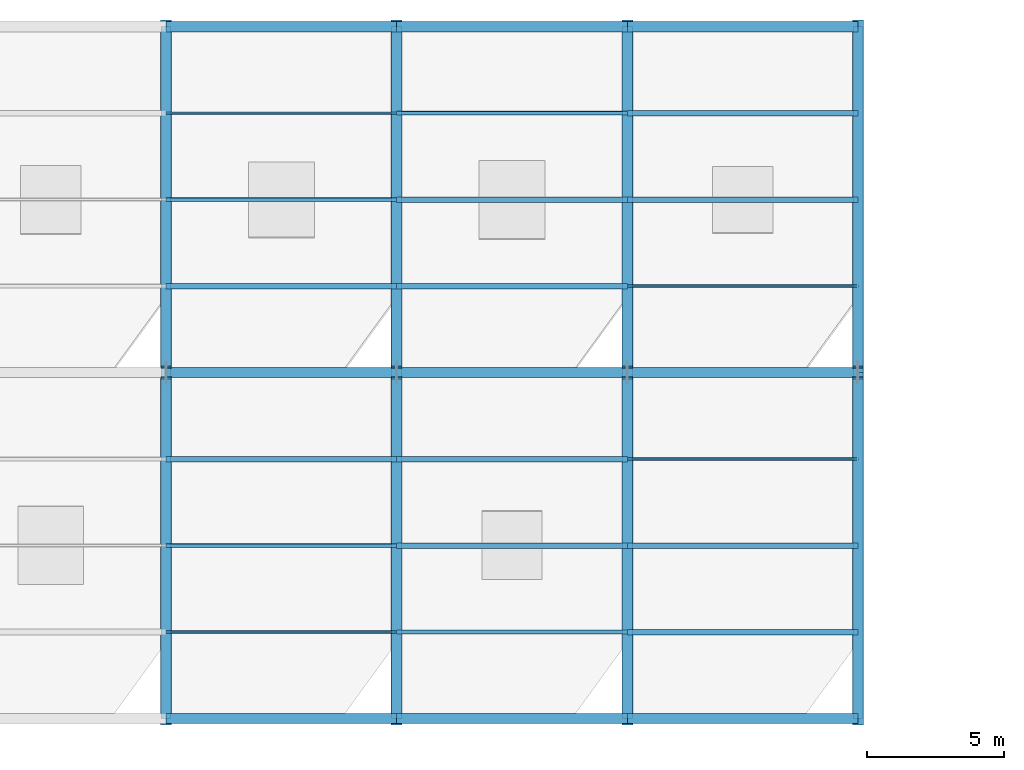
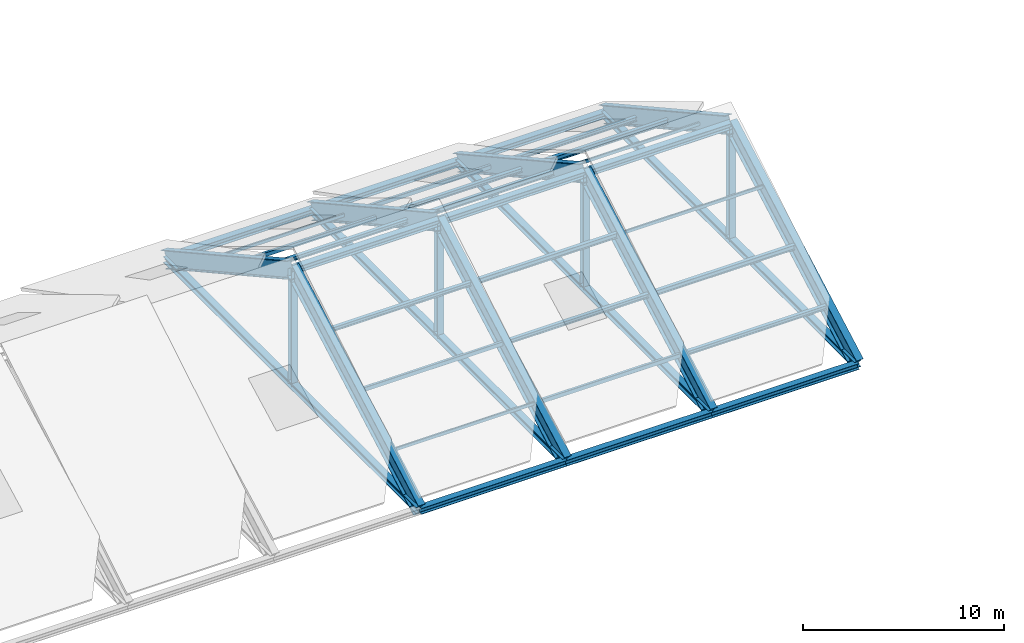
# One storey, part 3 of 13: 26 members, 17 beams.
"""IFC4 building model written with IfcOpenShell, lengths in metres."""

from ifc_helpers import new_model, si_unit, direction, frame, origin, origin_2d, place, context, subcontext, project, spatial, hollow_rectangle, i_section, extrude, material, material_profile, profile_set, type_object, element, save


model = new_model("IFC4")

# Units and contexts
model_context = context("Model", 3, precision=1e-05, world=origin(), true_north=direction((0.0, 1.0)))
body_context = subcontext(model_context, "Body", "Model", "MODEL_VIEW")
ifc_project = project(units=[si_unit("LENGTHUNIT", "METRE"), si_unit("AREAUNIT", "SQUARE_METRE"), si_unit("VOLUMEUNIT", "CUBIC_METRE"), si_unit("PLANEANGLEUNIT", "RADIAN"), si_unit("MASSUNIT", "GRAM", prefix="KILO")], contexts=[model_context])

# Site, building, storey
site_placement = place(None, origin())
site = spatial("IfcSite", under=ifc_project, at=site_placement, CompositionType="ELEMENT")
building_placement = place(site_placement, origin())
building = spatial("IfcBuilding", under=site, at=building_placement, Name="Calvrana Isthmian Art Gallery", CompositionType="ELEMENT")
storey_placement = place(building_placement, frame((0.0, 0.0, 29.39990234375)))
storey = spatial("IfcBuildingStorey", under=building, at=storey_placement, Name="RF", CompositionType="ELEMENT", Elevation=29.39990234375)

# Beams
ifc_material_1 = material(Name="Steel ASTM A992 Gr 50", Category="steel")
ifc_material_profile_1 = material_profile(ifc_material_1, i_section(OverallWidth=0.37109375, OverallDepth=0.363037109375, WebThickness=0.01318359375, FlangeThickness=0.021728515625, FilletRadius=0.02490234375, at=origin_2d()), Name="W14X109")
ifc_profile_set_1 = profile_set([ifc_material_profile_1], Name="Steel ASTM A992 Gr 50")
beam_type_1 = type_object("IfcBeamType", Name="BM-RF-W14X109", PredefinedType="BEAM", material=ifc_profile_set_1)
for number, where, z_axis, x_axis, name in (
    (1, (55.199951171875, 21.60009765625, -0.760498046875), (1.0, 0.0, 0.0), (0.0, 1.0, 0.0), "Folded plate eave beam S bay 5"),
    (2, (55.199951171875, 46.800048828125, -0.760498046875), (1.0, 0.0, 0.0), (0.0, 1.0, 0.0), "Folded plate eave beam N bay 5"),
):
    element("IfcBeam", number, at=place(storey_placement, frame(where, z_axis=z_axis, x_axis=x_axis)), inside=storey, type_object=beam_type_1, Name=name, PredefinedType="BEAM", context=body_context, shape_type="SweptSolid", body=[
        extrude(i_section(OverallWidth=0.37109375, OverallDepth=0.363037109375, WebThickness=0.01318359375, FlangeThickness=0.021728515625, FilletRadius=0.02490234375, at=origin_2d()), origin(), (0.0, 0.0, 1.0), 8.400146484375),
    ])
for number, where, z_axis, x_axis, name in (
    (3, (63.60009765625, 21.60009765625, -0.760498046875), (1.0, 0.0, 0.0), (0.0, 1.0, 0.0), "Folded plate eave beam S bay 6"),
    (4, (63.60009765625, 46.800048828125, -0.760498046875), (1.0, 0.0, 0.0), (0.0, 1.0, 0.0), "Folded plate eave beam N bay 6"),
    (5, (72.0, 21.60009765625, -0.760498046875), (1.0, 0.0, 0.0), (0.0, 1.0, 0.0), "Folded plate eave beam S bay 7"),
    (6, (72.0, 46.800048828125, -0.760498046875), (1.0, 0.0, 0.0), (0.0, 1.0, 0.0), "Folded plate eave beam N bay 7"),
):
    element("IfcBeam", number, at=place(storey_placement, frame(where, z_axis=z_axis, x_axis=x_axis)), inside=storey, type_object=beam_type_1, Name=name, PredefinedType="BEAM", context=body_context, shape_type="SweptSolid", body=[
        extrude(i_section(OverallWidth=0.37109375, OverallDepth=0.363037109375, WebThickness=0.01318359375, FlangeThickness=0.021728515625, FilletRadius=0.02490234375, at=origin_2d()), origin(), (0.0, 0.0, 1.0), 8.39990234375),
    ])
ifc_material_profile_2 = material_profile(ifc_material_1, i_section(OverallWidth=0.373046875, OverallDepth=0.367919921875, WebThickness=0.014892578125, FlangeThickness=0.02392578125, FilletRadius=0.02490234375, at=origin_2d()), Name="W14X120")
ifc_profile_set_2 = profile_set([ifc_material_profile_2], Name="Steel ASTM A992 Gr 50")
beam_type_2 = type_object("IfcBeamType", Name="BM-RF-W14X120", PredefinedType="BEAM", material=ifc_profile_set_2)
beam_1_placement = place(storey_placement, frame((55.199951171875, 34.199951171875, 6.219482421875), z_axis=(1.0, 0.0, 0.0), x_axis=(0.0, 1.0, 0.0)))
element("IfcBeam", 7, at=beam_1_placement, inside=storey, type_object=beam_type_2, Name="Folded plate ridge girder bay 5", PredefinedType="BEAM", context=body_context, shape_type="SweptSolid", body=[
    extrude(i_section(OverallWidth=0.373046875, OverallDepth=0.367919921875, WebThickness=0.014892578125, FlangeThickness=0.02392578125, FilletRadius=0.02490234375, at=origin_2d()), origin(), (0.0, 0.0, 1.0), 8.400146484375),
])
for number, where, z_axis, x_axis, name in (
    (8, (63.60009765625, 34.199951171875, 6.219482421875), (1.0, 0.0, 0.0), (0.0, 1.0, 0.0), "Folded plate ridge girder bay 6"),
    (9, (72.0, 34.199951171875, 6.219482421875), (1.0, 0.0, 0.0), (0.0, 1.0, 0.0), "Folded plate ridge girder bay 7"),
):
    element("IfcBeam", number, at=place(storey_placement, frame(where, z_axis=z_axis, x_axis=x_axis)), inside=storey, type_object=beam_type_2, Name=name, PredefinedType="BEAM", context=body_context, shape_type="SweptSolid", body=[
        extrude(i_section(OverallWidth=0.373046875, OverallDepth=0.367919921875, WebThickness=0.014892578125, FlangeThickness=0.02392578125, FilletRadius=0.02490234375, at=origin_2d()), origin(), (0.0, 0.0, 1.0), 8.39990234375),
    ])
ifc_material_profile_3 = material_profile(ifc_material_1, i_section(OverallWidth=0.40087890625, OverallDepth=1.0009765625, WebThickness=0.01904296875, FlangeThickness=0.0361328125, FilletRadius=0.030029296875, at=origin_2d()), Name="W40X249")
ifc_profile_set_3 = profile_set([ifc_material_profile_3], Name="Steel ASTM A992 Gr 50")
beam_type_3 = type_object("IfcBeamType", Name="BM-RF-W40X249", PredefinedType="BEAM", material=ifc_profile_set_3)
beam_2_placement = place(storey_placement, frame((55.199951171875, 21.60009765625, -0.760498046875), z_axis=(0.0, 0.874744270485, 0.484584833908), x_axis=(-1.0, 0.0, 0.0)))
element("IfcBeam", 10, at=beam_2_placement, inside=storey, type_object=beam_type_3, Name="Folded plate roof rafter south grid 08", PredefinedType="BEAM", context=body_context, shape_type="SweptSolid", body=[
    extrude(i_section(OverallWidth=0.40087890625, OverallDepth=1.0009765625, WebThickness=0.01904296875, FlangeThickness=0.0361328125, FilletRadius=0.030029296875, at=origin_2d()), origin(), (0.0, 0.0, 1.0), 14.404052734375),
])
beam_3_placement = place(storey_placement, frame((55.199951171875, 34.199951171875, 6.219482421875), z_axis=(0.0, 0.874748250508, -0.484577649332), x_axis=(-1.0, 0.0, 0.0)))
element("IfcBeam", 11, at=beam_3_placement, inside=storey, type_object=beam_type_3, Name="Folded plate roof rafter north grid 08", PredefinedType="BEAM", context=body_context, shape_type="SweptSolid", body=[
    extrude(i_section(OverallWidth=0.40087890625, OverallDepth=1.0009765625, WebThickness=0.01904296875, FlangeThickness=0.0361328125, FilletRadius=0.030029296875, at=origin_2d()), origin(), (0.0, 0.0, 1.0), 14.404296875),
])
beam_4_placement = place(storey_placement, frame((63.60009765625, 21.60009765625, -0.760498046875), z_axis=(0.0, 0.874744270485, 0.484584833908), x_axis=(-1.0, 0.0, 0.0)))
element("IfcBeam", 12, at=beam_4_placement, inside=storey, type_object=beam_type_3, Name="Folded plate roof rafter south grid 09", PredefinedType="BEAM", context=body_context, shape_type="SweptSolid", body=[
    extrude(i_section(OverallWidth=0.40087890625, OverallDepth=1.0009765625, WebThickness=0.01904296875, FlangeThickness=0.0361328125, FilletRadius=0.030029296875, at=origin_2d()), origin(), (0.0, 0.0, 1.0), 14.404052734375),
])
beam_5_placement = place(storey_placement, frame((63.60009765625, 34.199951171875, 6.219482421875), z_axis=(0.0, 0.874748250508, -0.484577649332), x_axis=(-1.0, 0.0, 0.0)))
element("IfcBeam", 13, at=beam_5_placement, inside=storey, type_object=beam_type_3, Name="Folded plate roof rafter north grid 09", PredefinedType="BEAM", context=body_context, shape_type="SweptSolid", body=[
    extrude(i_section(OverallWidth=0.40087890625, OverallDepth=1.0009765625, WebThickness=0.01904296875, FlangeThickness=0.0361328125, FilletRadius=0.030029296875, at=origin_2d()), origin(), (0.0, 0.0, 1.0), 14.404296875),
])
beam_6_placement = place(storey_placement, frame((72.0, 21.60009765625, -0.760498046875), z_axis=(0.0, 0.874744270485, 0.484584833908), x_axis=(-1.0, 0.0, 0.0)))
element("IfcBeam", 14, at=beam_6_placement, inside=storey, type_object=beam_type_3, Name="Folded plate roof rafter south grid 10", PredefinedType="BEAM", context=body_context, shape_type="SweptSolid", body=[
    extrude(i_section(OverallWidth=0.40087890625, OverallDepth=1.0009765625, WebThickness=0.01904296875, FlangeThickness=0.0361328125, FilletRadius=0.030029296875, at=origin_2d()), origin(), (0.0, 0.0, 1.0), 14.404052734375),
])
beam_7_placement = place(storey_placement, frame((72.0, 34.199951171875, 6.219482421875), z_axis=(0.0, 0.874748250508, -0.484577649332), x_axis=(-1.0, 0.0, 0.0)))
element("IfcBeam", 15, at=beam_7_placement, inside=storey, type_object=beam_type_3, Name="Folded plate roof rafter north grid 10", PredefinedType="BEAM", context=body_context, shape_type="SweptSolid", body=[
    extrude(i_section(OverallWidth=0.40087890625, OverallDepth=1.0009765625, WebThickness=0.01904296875, FlangeThickness=0.0361328125, FilletRadius=0.030029296875, at=origin_2d()), origin(), (0.0, 0.0, 1.0), 14.404296875),
])
beam_8_placement = place(storey_placement, frame((80.39990234375, 21.60009765625, -0.760498046875), z_axis=(0.0, 0.874744270485, 0.484584833908), x_axis=(-1.0, 0.0, 0.0)))
element("IfcBeam", 16, at=beam_8_placement, inside=storey, type_object=beam_type_3, Name="Folded plate roof rafter south grid 11", PredefinedType="BEAM", context=body_context, shape_type="SweptSolid", body=[
    extrude(i_section(OverallWidth=0.40087890625, OverallDepth=1.0009765625, WebThickness=0.01904296875, FlangeThickness=0.0361328125, FilletRadius=0.030029296875, at=origin_2d()), origin(), (0.0, 0.0, 1.0), 14.404052734375),
])
beam_9_placement = place(storey_placement, frame((80.39990234375, 34.199951171875, 6.219482421875), z_axis=(0.0, 0.874748250508, -0.484577649332), x_axis=(-1.0, 0.0, 0.0)))
element("IfcBeam", 17, at=beam_9_placement, inside=storey, type_object=beam_type_3, Name="Folded plate roof rafter north grid 11", PredefinedType="BEAM", context=body_context, shape_type="SweptSolid", body=[
    extrude(i_section(OverallWidth=0.40087890625, OverallDepth=1.0009765625, WebThickness=0.01904296875, FlangeThickness=0.0361328125, FilletRadius=0.030029296875, at=origin_2d()), origin(), (0.0, 0.0, 1.0), 14.404296875),
])

# Members
ifc_material_profile_4 = material_profile(ifc_material_1, i_section(OverallWidth=0.367919921875, OverallDepth=0.35595703125, WebThickness=0.01123046875, FlangeThickness=0.01806640625, FilletRadius=0.02490234375, at=origin_2d()), Name="W14X90")
ifc_profile_set_4 = profile_set([ifc_material_profile_4], Name="Steel ASTM A992 Gr 50")
member_type_1 = type_object("IfcMemberType", Name="MB-POST-W14X90", PredefinedType="POST", material=ifc_profile_set_4)
for number, where, z_axis, x_axis, name in (
    (18, (55.199951171875, 34.199951171875, -0.760498046875), (0.0, 0.0, 1.0), (1.0, 0.0, 0.0), "Folded plate king post 08"),
    (19, (63.60009765625, 34.199951171875, -0.760498046875), (0.0, 0.0, 1.0), (1.0, 0.0, 0.0), "Folded plate king post 09"),
    (20, (72.0, 34.199951171875, -0.760498046875), (0.0, 0.0, 1.0), (1.0, 0.0, 0.0), "Folded plate king post 10"),
    (21, (80.39990234375, 34.199951171875, -0.760498046875), (0.0, 0.0, 1.0), (1.0, 0.0, 0.0), "Folded plate king post 11"),
):
    element("IfcMember", number, at=place(storey_placement, frame(where, z_axis=z_axis, x_axis=x_axis)), inside=storey, type_object=member_type_1, Name=name, PredefinedType="POST", context=body_context, shape_type="SweptSolid", body=[
        extrude(i_section(OverallWidth=0.367919921875, OverallDepth=0.35595703125, WebThickness=0.01123046875, FlangeThickness=0.01806640625, FilletRadius=0.02490234375, at=origin_2d()), origin(), (0.0, 0.0, 1.0), 6.97998046875),
    ])
ifc_material_2 = material(Name="Steel ASTM A500 Gr C", Category="steel")
ifc_material_profile_5 = material_profile(ifc_material_2, hollow_rectangle(XDim=0.1015625, YDim=0.203125, WallThickness=0.009521484375, OuterFilletRadius=0.01904296875, at=origin_2d()), Name="HSS203X102X9.5")
ifc_profile_set_5 = profile_set([ifc_material_profile_5], Name="Steel ASTM A500 Gr C")
member_type_2 = type_object("IfcMemberType", Name="MB-PUR-HSS203", PredefinedType="PURLIN", material=ifc_profile_set_5)
for number, where, z_axis, x_axis, name in (
    (22, (55.199951171875, 24.75, 0.864501953125), (1.0, 0.0, 0.0), (0.0, 1.0, 0.0), "Folded plate purlin S bay 5.1"),
    (23, (55.199951171875, 43.64990234375, 0.864501953125), (1.0, 0.0, 0.0), (0.0, 1.0, 0.0), "Folded plate purlin N bay 5.1"),
):
    element("IfcMember", number, at=place(storey_placement, frame(where, z_axis=z_axis, x_axis=x_axis)), inside=storey, type_object=member_type_2, Name=name, PredefinedType="PURLIN", context=body_context, shape_type="SweptSolid", body=[
        extrude(hollow_rectangle(XDim=0.1015625, YDim=0.203125, WallThickness=0.009521484375, OuterFilletRadius=0.01904296875, at=origin_2d()), origin(), (0.0, 0.0, 1.0), 8.400146484375),
    ])
for number, where, z_axis, x_axis, name in (
    (24, (72.0, 31.050048828125, 4.3544921875), (1.0, 0.0, 0.0), (0.0, 1.0, 0.0), "Folded plate purlin S bay 7.3"),
    (25, (72.0, 37.35009765625, 4.3544921875), (1.0, 0.0, 0.0), (0.0, 1.0, 0.0), "Folded plate purlin N bay 7.3"),
):
    element("IfcMember", number, at=place(storey_placement, frame(where, z_axis=z_axis, x_axis=x_axis)), inside=storey, type_object=member_type_2, Name=name, PredefinedType="PURLIN", context=body_context, shape_type="SweptSolid", body=[
        extrude(hollow_rectangle(XDim=0.1015625, YDim=0.203125, WallThickness=0.009521484375, OuterFilletRadius=0.01904296875, at=origin_2d()), origin(), (0.0, 0.0, 1.0), 8.39990234375),
    ])
ifc_material_profile_6 = material_profile(ifc_material_2, hollow_rectangle(XDim=0.15234375, YDim=0.25390625, WallThickness=0.009521484375, OuterFilletRadius=0.01904296875, at=origin_2d()), Name="HSS254X152X9.5")
ifc_profile_set_6 = profile_set([ifc_material_profile_6], Name="Steel ASTM A500 Gr C")
member_type_3 = type_object("IfcMemberType", Name="MB-PUR-HSS254", PredefinedType="PURLIN", material=ifc_profile_set_6)
for number, where, z_axis, x_axis, name in (
    (26, (55.199951171875, 27.89990234375, 2.609619140625), (1.0, 0.0, 0.0), (0.0, 1.0, 0.0), "Folded plate purlin S bay 5.2"),
    (27, (55.199951171875, 40.5, 2.609619140625), (1.0, 0.0, 0.0), (0.0, 1.0, 0.0), "Folded plate purlin N bay 5.2"),
):
    element("IfcMember", number, at=place(storey_placement, frame(where, z_axis=z_axis, x_axis=x_axis)), inside=storey, type_object=member_type_3, Name=name, PredefinedType="PURLIN", context=body_context, shape_type="SweptSolid", body=[
        extrude(hollow_rectangle(XDim=0.15234375, YDim=0.25390625, WallThickness=0.009521484375, OuterFilletRadius=0.01904296875, at=origin_2d()), origin(), (0.0, 0.0, 1.0), 8.400146484375),
    ])
for number, where, z_axis, x_axis, name in (
    (28, (63.60009765625, 24.75, 0.864501953125), (1.0, 0.0, 0.0), (0.0, 1.0, 0.0), "Folded plate purlin S bay 6.1"),
    (29, (63.60009765625, 43.64990234375, 0.864501953125), (1.0, 0.0, 0.0), (0.0, 1.0, 0.0), "Folded plate purlin N bay 6.1"),
):
    element("IfcMember", number, at=place(storey_placement, frame(where, z_axis=z_axis, x_axis=x_axis)), inside=storey, type_object=member_type_3, Name=name, PredefinedType="PURLIN", context=body_context, shape_type="SweptSolid", body=[
        extrude(hollow_rectangle(XDim=0.15234375, YDim=0.25390625, WallThickness=0.009521484375, OuterFilletRadius=0.01904296875, at=origin_2d()), origin(), (0.0, 0.0, 1.0), 8.39990234375),
    ])
ifc_material_profile_7 = material_profile(ifc_material_1, i_section(OverallWidth=0.201904296875, OverallDepth=0.2470703125, WebThickness=0.00732421875, FlangeThickness=0.010986328125, FilletRadius=0.014892578125, at=origin_2d()), Name="W10X33")
ifc_profile_set_7 = profile_set([ifc_material_profile_7], Name="Steel ASTM A992 Gr 50")
member_type_4 = type_object("IfcMemberType", Name="MB-PUR-W10X33", PredefinedType="PURLIN", material=ifc_profile_set_7)
for number, where, z_axis, x_axis, name in (
    (30, (55.199951171875, 31.050048828125, 4.3544921875), (1.0, 0.0, 0.0), (0.0, 1.0, 0.0), "Folded plate purlin S bay 5.3"),
    (31, (55.199951171875, 37.35009765625, 4.3544921875), (1.0, 0.0, 0.0), (0.0, 1.0, 0.0), "Folded plate purlin N bay 5.3"),
):
    element("IfcMember", number, at=place(storey_placement, frame(where, z_axis=z_axis, x_axis=x_axis)), inside=storey, type_object=member_type_4, Name=name, PredefinedType="PURLIN", context=body_context, shape_type="SweptSolid", body=[
        extrude(i_section(OverallWidth=0.201904296875, OverallDepth=0.2470703125, WebThickness=0.00732421875, FlangeThickness=0.010986328125, FilletRadius=0.014892578125, at=origin_2d()), origin(), (0.0, 0.0, 1.0), 8.400146484375),
    ])
for number, where, z_axis, x_axis, name in (
    (32, (63.60009765625, 27.89990234375, 2.609619140625), (1.0, 0.0, 0.0), (0.0, 1.0, 0.0), "Folded plate purlin S bay 6.2"),
    (33, (63.60009765625, 40.5, 2.609619140625), (1.0, 0.0, 0.0), (0.0, 1.0, 0.0), "Folded plate purlin N bay 6.2"),
    (34, (72.0, 24.75, 0.864501953125), (1.0, 0.0, 0.0), (0.0, 1.0, 0.0), "Folded plate purlin S bay 7.1"),
    (35, (72.0, 43.64990234375, 0.864501953125), (1.0, 0.0, 0.0), (0.0, 1.0, 0.0), "Folded plate purlin N bay 7.1"),
):
    element("IfcMember", number, at=place(storey_placement, frame(where, z_axis=z_axis, x_axis=x_axis)), inside=storey, type_object=member_type_4, Name=name, PredefinedType="PURLIN", context=body_context, shape_type="SweptSolid", body=[
        extrude(i_section(OverallWidth=0.201904296875, OverallDepth=0.2470703125, WebThickness=0.00732421875, FlangeThickness=0.010986328125, FilletRadius=0.014892578125, at=origin_2d()), origin(), (0.0, 0.0, 1.0), 8.39990234375),
    ])
ifc_material_profile_8 = material_profile(ifc_material_1, i_section(OverallWidth=0.202880859375, OverallDepth=0.302001953125, WebThickness=0.007568359375, FlangeThickness=0.01318359375, FilletRadius=0.01611328125, at=origin_2d()), Name="W12X40")
ifc_profile_set_8 = profile_set([ifc_material_profile_8], Name="Steel ASTM A992 Gr 50")
member_type_5 = type_object("IfcMemberType", Name="MB-PUR-W12X40", PredefinedType="PURLIN", material=ifc_profile_set_8)
for number, where, z_axis, x_axis, name in (
    (36, (63.60009765625, 31.050048828125, 4.3544921875), (1.0, 0.0, 0.0), (0.0, 1.0, 0.0), "Folded plate purlin S bay 6.3"),
    (37, (63.60009765625, 37.35009765625, 4.3544921875), (1.0, 0.0, 0.0), (0.0, 1.0, 0.0), "Folded plate purlin N bay 6.3"),
    (38, (72.0, 27.89990234375, 2.609619140625), (1.0, 0.0, 0.0), (0.0, 1.0, 0.0), "Folded plate purlin S bay 7.2"),
    (39, (72.0, 40.5, 2.609619140625), (1.0, 0.0, 0.0), (0.0, 1.0, 0.0), "Folded plate purlin N bay 7.2"),
):
    element("IfcMember", number, at=place(storey_placement, frame(where, z_axis=z_axis, x_axis=x_axis)), inside=storey, type_object=member_type_5, Name=name, PredefinedType="PURLIN", context=body_context, shape_type="SweptSolid", body=[
        extrude(i_section(OverallWidth=0.202880859375, OverallDepth=0.302001953125, WebThickness=0.007568359375, FlangeThickness=0.01318359375, FilletRadius=0.01611328125, at=origin_2d()), origin(), (0.0, 0.0, 1.0), 8.39990234375),
    ])
ifc_material_profile_9 = material_profile(ifc_material_1, i_section(OverallWidth=0.373046875, OverallDepth=0.373046875, WebThickness=0.016357421875, FlangeThickness=0.026123046875, FilletRadius=0.02490234375, at=origin_2d()), Name="W14X132")
ifc_profile_set_9 = profile_set([ifc_material_profile_9], Name="Steel ASTM A992 Gr 50")
member_type_6 = type_object("IfcMemberType", Name="MB-TRUSS-CHORD", PredefinedType="CHORD", material=ifc_profile_set_9)
for number, where, z_axis, x_axis, name in (
    (40, (55.199951171875, 21.60009765625, -0.760498046875), (0.0, 1.0, 0.0), (-1.0, 0.0, 0.0), "Folded plate tension tie chord 08"),
    (41, (63.60009765625, 21.60009765625, -0.760498046875), (0.0, 1.0, 0.0), (-1.0, 0.0, 0.0), "Folded plate tension tie chord 09"),
    (42, (72.0, 21.60009765625, -0.760498046875), (0.0, 1.0, 0.0), (-1.0, 0.0, 0.0), "Folded plate tension tie chord 10"),
    (43, (80.39990234375, 21.60009765625, -0.760498046875), (0.0, 1.0, 0.0), (-1.0, 0.0, 0.0), "Folded plate tension tie chord 11"),
):
    element("IfcMember", number, at=place(storey_placement, frame(where, z_axis=z_axis, x_axis=x_axis)), inside=storey, type_object=member_type_6, Name=name, PredefinedType="CHORD", context=body_context, shape_type="SweptSolid", body=[
        extrude(i_section(OverallWidth=0.373046875, OverallDepth=0.373046875, WebThickness=0.016357421875, FlangeThickness=0.026123046875, FilletRadius=0.02490234375, at=origin_2d()), origin(), (0.0, 0.0, 1.0), 25.199951171875),
    ])

save(model, "model.ifc")
